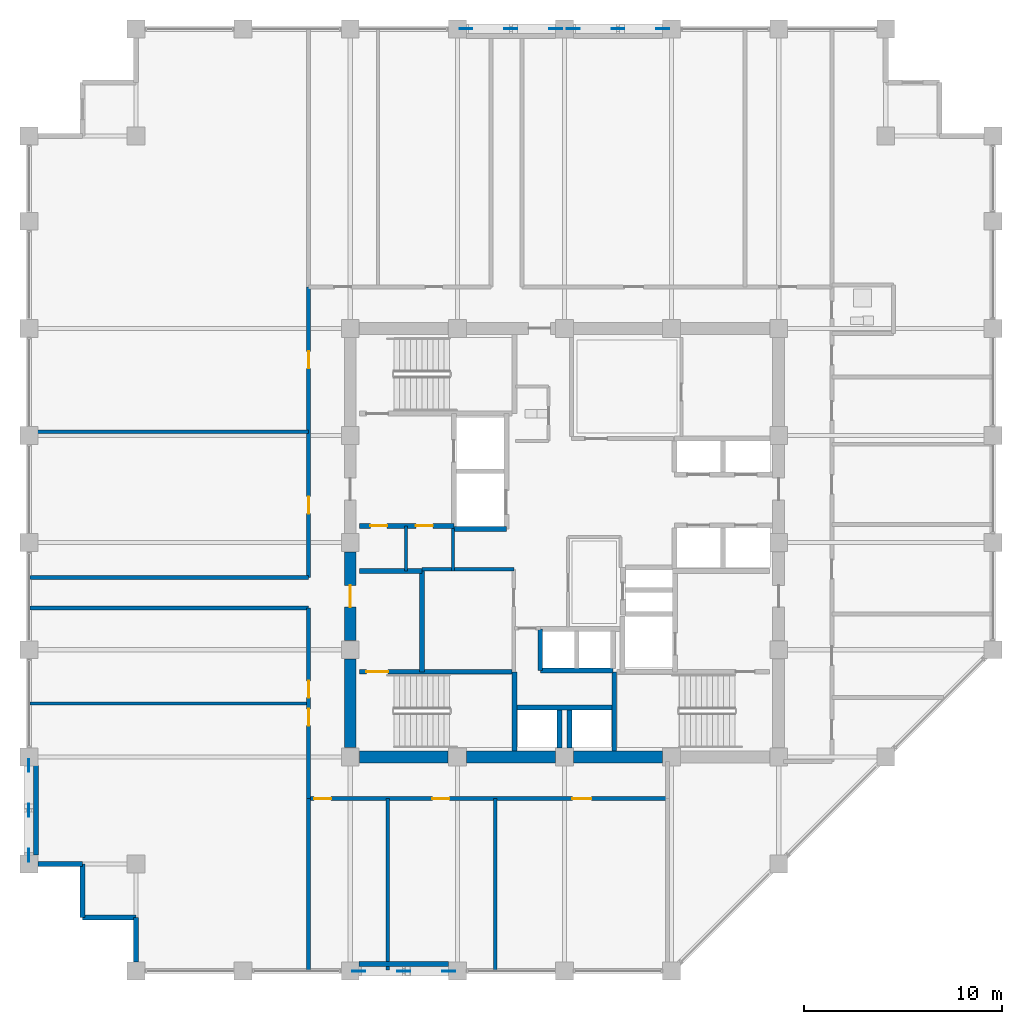
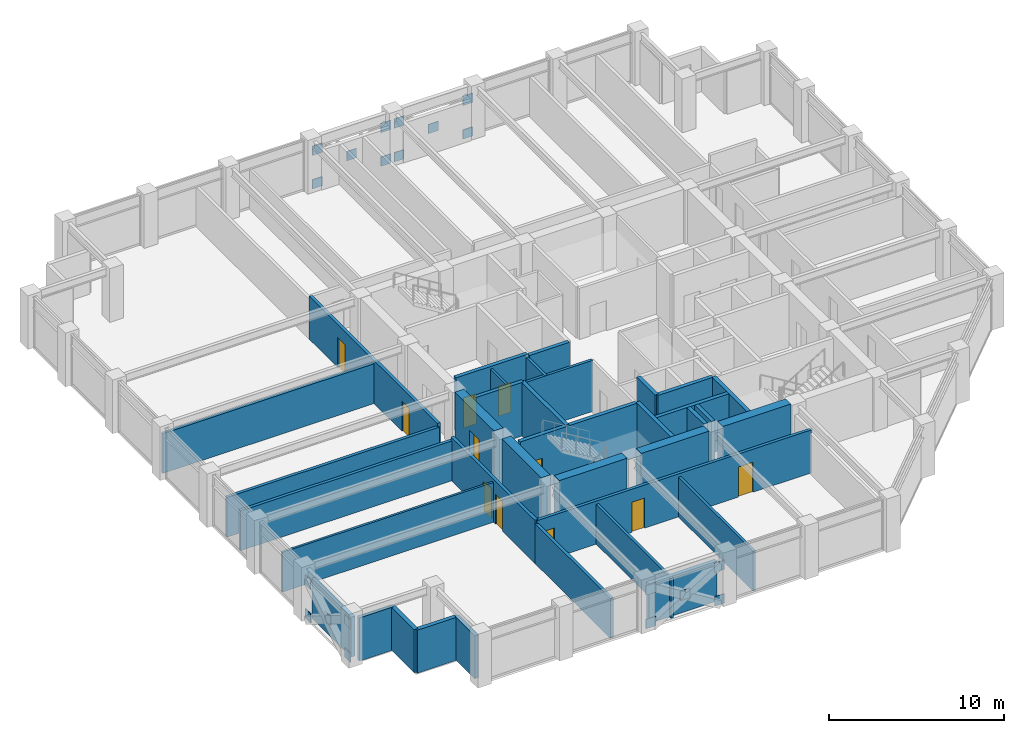
# One storey, part 27 of 32: 36 walls, 20 plates, 11 doors, 11 openings.
"""IFC4 building model written with IfcOpenShell, lengths in metres."""

from ifc_helpers import new_model, si_unit, direction, frame, frame_2d, origin, origin_2d, place, context, subcontext, project, spatial, rectangle, extrude, material, layer, layer_set, type_object, element, fill, save


model = new_model("IFC4")

# Units and contexts
model_context = context("Model", 3, precision=1e-05, world=origin(), true_north=direction((0.0, 1.0)))
body_context = subcontext(model_context, "Body", "Model", "MODEL_VIEW")
ifc_project = project(units=[si_unit("LENGTHUNIT", "METRE"), si_unit("AREAUNIT", "SQUARE_METRE"), si_unit("VOLUMEUNIT", "CUBIC_METRE"), si_unit("PLANEANGLEUNIT", "RADIAN"), si_unit("MASSUNIT", "GRAM", prefix="KILO")], contexts=[model_context])

# Site, building, storey
site_placement = place(None, origin())
site = spatial("IfcSite", under=ifc_project, at=site_placement, CompositionType="ELEMENT")
building_placement = place(site_placement, origin())
building = spatial("IfcBuilding", under=site, at=building_placement, Name="Surkhivell Harbour Commons", CompositionType="ELEMENT")
storey_placement = place(building_placement, frame((0.0, 0.0, 204.75)))
storey = spatial("IfcBuildingStorey", under=building, at=storey_placement, Name="L53", CompositionType="ELEMENT", Elevation=204.75)

# Plates
ifc_material_1 = material(Name="Steel S460", Category="steel")
ifc_layer_1 = layer(ifc_material_1, 0.044921875)
ifc_layer_set_1 = layer_set([ifc_layer_1], Name="Steel S460")
plate_type = type_object("IfcPlateType", Name="PLT-GUS-650", PredefinedType="USERDEFINED", material=ifc_layer_set_1)
for number, where, z_axis, x_axis, name in (
    (1, (-4.965087890625, 25.89990234375, -0.08935546875), (0.0, 0.0, 1.0), (1.0, 0.0, 0.0), "L53 Perimeter Mega-Brace MB- Corner Gusset N-1"),
    (2, (-0.43505859375, 25.89990234375, -0.08935546875), (0.0, 0.0, 1.0), (1.0, 0.0, 0.0), "L53 Perimeter Mega-Brace MB- Corner Gusset N-2"),
    (3, (-4.965087890625, 25.89990234375, 2.25146484375), (0.0, 0.0, 1.0), (1.0, 0.0, 0.0), "L53 Perimeter Mega-Brace MB- Corner Gusset N-3"),
    (4, (-0.43505859375, 25.89990234375, 2.25146484375), (0.0, 0.0, 1.0), (1.0, 0.0, 0.0), "L53 Perimeter Mega-Brace MB- Corner Gusset N-4"),
    (5, (-2.699951171875, 25.89990234375, 1.0810546875), (0.0, 0.0, 1.0), (1.0, 0.0, 0.0), "L53 Perimeter Mega-Brace MB- Central Crossing Gusset N"),
    (6, (0.43505859375, 25.89990234375, -0.08935546875), (0.0, 0.0, 1.0), (1.0, 0.0, 0.0), "L53 Perimeter Mega-Brace MB- Corner Gusset N2-1"),
    (7, (4.965087890625, 25.89990234375, -0.08935546875), (0.0, 0.0, 1.0), (1.0, 0.0, 0.0), "L53 Perimeter Mega-Brace MB- Corner Gusset N2-2"),
    (8, (0.43505859375, 25.89990234375, 2.25146484375), (0.0, 0.0, 1.0), (1.0, 0.0, 0.0), "L53 Perimeter Mega-Brace MB- Corner Gusset N2-3"),
    (9, (4.965087890625, 25.89990234375, 2.25146484375), (0.0, 0.0, 1.0), (1.0, 0.0, 0.0), "L53 Perimeter Mega-Brace MB- Corner Gusset N2-4"),
    (10, (2.699951171875, 25.89990234375, 1.0810546875), (0.0, 0.0, 1.0), (1.0, 0.0, 0.0), "L53 Perimeter Mega-Brace MB- Central Crossing Gusset N2"),
    (11, (-10.364990234375, -21.60009765625, -0.08935546875), (0.0, 0.0, 1.0), (1.0, 0.0, 0.0), "L53 Perimeter Mega-Brace MB- Corner Gusset S-1"),
    (12, (-5.8349609375, -21.60009765625, -0.08935546875), (0.0, 0.0, 1.0), (1.0, 0.0, 0.0), "L53 Perimeter Mega-Brace MB- Corner Gusset S-2"),
    (13, (-10.364990234375, -21.60009765625, 2.25146484375), (0.0, 0.0, 1.0), (1.0, 0.0, 0.0), "L53 Perimeter Mega-Brace MB- Corner Gusset S-3"),
    (14, (-5.8349609375, -21.60009765625, 2.25146484375), (0.0, 0.0, 1.0), (1.0, 0.0, 0.0), "L53 Perimeter Mega-Brace MB- Corner Gusset S-4"),
    (15, (-8.10009765625, -21.60009765625, 1.0810546875), (0.0, 0.0, 1.0), (1.0, 0.0, 0.0), "L53 Perimeter Mega-Brace MB- Central Crossing Gusset S"),
    (16, (-27.0, -15.764892578125, -0.08935546875), (0.0, 0.0, 1.0), (0.0, 1.0, 0.0), "L53 Perimeter Mega-Brace MB- Corner Gusset W-1"),
    (17, (-27.0, -11.235107421875, -0.08935546875), (0.0, 0.0, 1.0), (0.0, 1.0, 0.0), "L53 Perimeter Mega-Brace MB- Corner Gusset W-2"),
    (18, (-27.0, -15.764892578125, 2.25146484375), (0.0, 0.0, 1.0), (0.0, 1.0, 0.0), "L53 Perimeter Mega-Brace MB- Corner Gusset W-3"),
    (19, (-27.0, -11.235107421875, 2.25146484375), (0.0, 0.0, 1.0), (0.0, 1.0, 0.0), "L53 Perimeter Mega-Brace MB- Corner Gusset W-4"),
    (20, (-27.0, -13.5, 1.0810546875), (0.0, 0.0, 1.0), (0.0, 1.0, 0.0), "L53 Perimeter Mega-Brace MB- Central Crossing Gusset W"),
):
    element("IfcPlate", number, at=place(storey_placement, frame(where, z_axis=z_axis, x_axis=x_axis)), inside=storey, type_object=plate_type, Name=name, ObjectType="GUSSET_PLATE", PredefinedType="USERDEFINED", context=body_context, shape_type="SweptSolid", body=[
        extrude(rectangle(XDim=0.64990234375, YDim=0.044921875, at=origin_2d()), origin(), (0.0, 0.0, 1.0), 0.64990234375),
    ])

# Walls
ifc_material_2 = material(Name="Concrete C60/75", Category="concrete")
ifc_layer_2 = layer(ifc_material_2, 0.60009765625)
ifc_layer_set_2 = layer_set([ifc_layer_2], Name="Concrete C60/75")
wall_type_1 = type_object("IfcWallType", Name="WAL-CORE-600", PredefinedType="SHEAR", material=ifc_layer_set_2)
for number, where, z_axis, x_axis, name in (
    (21, (-10.340087890625, -10.800048828125, 0.0), (0.0, 0.0, 1.0), (1.0, 0.0, 0.0), "L53 Core Shear Wall South 1"),
    (22, (-10.800048828125, -10.340087890625, 0.0), (0.0, 0.0, 1.0), (0.0, 1.0, 0.0), "L53 Core Shear Wall West 1"),
    (23, (-4.93994140625, -10.800048828125, 0.0), (0.0, 0.0, 1.0), (1.0, 0.0, 0.0), "L53 Core Shear Wall South 2"),
):
    element("IfcWall", number, at=place(storey_placement, frame(where, z_axis=z_axis, x_axis=x_axis)), inside=storey, type_object=wall_type_1, Name=name, PredefinedType="SHEAR", context=body_context, shape_type="SweptSolid", body=[
        extrude(rectangle(XDim=4.47998046875, YDim=0.60009765625, at=frame_2d((2.239990234375, 0.0))), origin(), (0.0, 0.0, 1.0), 3.75),
    ])

# Wall, opening, door
wall_1_placement = place(storey_placement, frame((-10.800048828125, -4.93994140625, 0.0), z_axis=(0.0, 0.0, 1.0), x_axis=(0.0, 1.0, 0.0)))
wall_1 = element("IfcWall", 24, at=wall_1_placement, inside=storey, type_object=wall_type_1, Name="L53 Core Shear Wall West 2", PredefinedType="SHEAR", context=body_context, shape_type="SweptSolid", body=[
    extrude(rectangle(XDim=4.47998046875, YDim=0.60009765625, at=frame_2d((2.239990234375, 0.0))), origin(), (0.0, 0.0, 1.0), 3.75),
])
opening_1_placement = place(wall_1_placement, frame((1.68994140625, 0.0, 0.0)))
opening_1 = element("IfcOpeningElement", 25, at=opening_1_placement, cuts=wall_1, Name="Opening ID-2", PredefinedType="OPENING", context=body_context, shape_type="SweptSolid", body=[
    extrude(rectangle(XDim=1.10009765625, YDim=2.10009765625, at=frame_2d((0.550048828125, 1.050048828125))), frame((0.0, 0.31005859375, 0.0), z_axis=(0.0, -1.0, 0.0), x_axis=(1.0, 0.0, 0.0)), (0.0, 0.0, 1.0), 0.6201171875),
])
ifc_material_3 = material(Name="Hardwood-veneered fire-rated door leaf", Category="wood")
door_type_1 = type_object("IfcDoorType", Name="DOR-FD60-1100", OperationType="NOTDEFINED", PredefinedType="DOOR", material=ifc_material_3)
door_1_placement = place(opening_1_placement, origin())
door_1 = element("IfcDoor", 26, at=door_1_placement, inside=storey, type_object=door_type_1, Name="L53 Stair 3 Lobby Corridor Door", OperationType="SINGLE_SWING_LEFT", OverallHeight=2.10009765625, OverallWidth=1.10009765625, PredefinedType="DOOR", context=body_context, shape_type="SweptSolid", body=[
    extrude(rectangle(XDim=1.10009765625, YDim=2.10009765625, at=frame_2d((0.550048828125, 1.050048828125))), frame((0.0, 0.02490234375, 0.0), z_axis=(0.0, -1.0, 0.0), x_axis=(1.0, 0.0, 0.0)), (0.0, 0.0, 1.0), 0.050048828125),
])
fill(opening_1, door_1)

# Walls
wall_2_placement = place(storey_placement, frame((0.4599609375, -10.800048828125, 0.0), z_axis=(0.0, 0.0, 1.0), x_axis=(1.0, 0.0, 0.0)))
element("IfcWall", 27, at=wall_2_placement, inside=storey, type_object=wall_type_1, Name="L53 Core Shear Wall South 3", PredefinedType="SHEAR", context=body_context, shape_type="SweptSolid", body=[
    extrude(rectangle(XDim=4.47998046875, YDim=0.60009765625, at=frame_2d((2.239990234375, 0.0))), origin(), (0.0, 0.0, 1.0), 3.75),
])
ifc_material_4 = material(Name="Pale-metal insulated precast concrete C45/55", Category="concrete")
ifc_layer_3 = layer(ifc_material_4, 0.260009765625)
ifc_layer_set_3 = layer_set([ifc_layer_3], Name="Pale-metal insulated precast concrete C45/55")
wall_type_2 = type_object("IfcWallType", Name="WAL-EXT-MTL260", PredefinedType="STANDARD", material=ifc_layer_set_3)
wall_3_placement = place(storey_placement, frame((-10.35205078125, -21.239990234375, 0.0), z_axis=(0.0, 0.0, 1.0), x_axis=(1.0, 0.0, 0.0)))
element("IfcWall", 28, at=wall_3_placement, inside=storey, type_object=wall_type_2, Name="L53 Braced-Bay Insulated Spandrel Backing S", PredefinedType="STANDARD", context=body_context, shape_type="SweptSolid", body=[
    extrude(rectangle(XDim=4.504150390625, YDim=0.260009765625, at=frame_2d((2.251953125, 0.0))), origin(), (0.0, 0.0, 1.0), 2.780029296875),
])
wall_4_placement = place(storey_placement, frame((-26.639892578125, -11.248046875, 0.0), z_axis=(0.0, 0.0, 1.0), x_axis=(0.0, -1.0, 0.0)))
element("IfcWall", 29, at=wall_4_placement, inside=storey, type_object=wall_type_2, Name="L53 Braced-Bay Insulated Spandrel Backing W", PredefinedType="STANDARD", context=body_context, shape_type="SweptSolid", body=[
    extrude(rectangle(XDim=4.50390625, YDim=0.260009765625, at=frame_2d((2.251953125, 0.0))), origin(), (0.0, 0.0, 1.0), 2.780029296875),
])
wall_5_placement = place(storey_placement, frame((-26.552001953125, -16.199951171875, 0.0), z_axis=(0.0, 0.0, 1.0), x_axis=(1.0, 0.0, 0.0)))
element("IfcWall", 30, at=wall_5_placement, inside=storey, type_object=wall_type_2, Name="L53 Serrated Corner Facade Wall 13", PredefinedType="STANDARD", context=body_context, shape_type="SweptSolid", body=[
    extrude(rectangle(XDim=2.251953125, YDim=0.260009765625, at=frame_2d((1.1259765625, 0.0))), origin(), (0.0, 0.0, 1.0), 3.006103515625),
])
for number, where, z_axis, x_axis, name in (
    (31, (-24.300048828125, -16.199951171875, 0.0), (0.0, 0.0, 1.0), (0.0, -1.0, 0.0), "L53 Serrated Corner Facade Wall 14"),
    (32, (-24.300048828125, -18.89990234375, 0.0), (0.0, 0.0, 1.0), (1.0, 0.0, 0.0), "L53 Serrated Corner Facade Wall 15"),
):
    element("IfcWall", number, at=place(storey_placement, frame(where, z_axis=z_axis, x_axis=x_axis)), inside=storey, type_object=wall_type_2, Name=name, PredefinedType="STANDARD", context=body_context, shape_type="SweptSolid", body=[
        extrude(rectangle(XDim=2.699951171875, YDim=0.260009765625, at=frame_2d((1.35009765625, 0.0))), origin(), (0.0, 0.0, 1.0), 3.006103515625),
    ])
wall_6_placement = place(storey_placement, frame((-21.60009765625, -18.89990234375, 0.0), z_axis=(0.0, 0.0, 1.0), x_axis=(0.0, -1.0, 0.0)))
element("IfcWall", 33, at=wall_6_placement, inside=storey, type_object=wall_type_2, Name="L53 Serrated Corner Facade Wall 16", PredefinedType="STANDARD", context=body_context, shape_type="SweptSolid", body=[
    extrude(rectangle(XDim=2.252197265625, YDim=0.260009765625, at=frame_2d((1.1259765625, 0.0))), origin(), (0.0, 0.0, 1.0), 3.006103515625),
])
ifc_material_5 = material(Name="Twin-stud acoustic fireboard partition", Category="other")
ifc_layer_4 = layer(ifc_material_5, 0.14990234375)
ifc_layer_set_4 = layer_set([ifc_layer_4], Name="Twin-stud acoustic fireboard partition")
wall_type_3 = type_object("IfcWallType", Name="WAL-INT-150", PredefinedType="PARTITIONING", material=ifc_layer_set_4)
wall_7_placement = place(storey_placement, frame((-8.0, -1.419921875, 0.0), z_axis=(0.0, 0.0, 1.0), x_axis=(0.0, 1.0, 0.0)))
element("IfcWall", 34, at=wall_7_placement, inside=storey, type_object=wall_type_3, Name="L53 West Core Cut D1", PredefinedType="PARTITIONING", context=body_context, shape_type="SweptSolid", body=[
    extrude(rectangle(XDim=2.27001953125, YDim=0.14990234375, at=frame_2d((1.135009765625, 0.0))), origin(), (0.0, 0.0, 1.0), 3.570068359375),
])
wall_8_placement = place(storey_placement, frame((-26.93994140625, -8.10009765625, 0.0), z_axis=(0.0, 0.0, 1.0), x_axis=(1.0, 0.0, 0.0)))
element("IfcWall", 35, at=wall_8_placement, inside=storey, type_object=wall_type_3, Name="L53 South-West Partition P1", PredefinedType="PARTITIONING", context=body_context, shape_type="SweptSolid", body=[
    extrude(rectangle(XDim=14.0400390625, YDim=0.14990234375, at=frame_2d((7.02001953125, 0.0))), origin(), (0.0, 0.0, 1.0), 2.780029296875),
])
ifc_material_6 = material(Name="High-density acoustic blockwork fire partition", Category="masonry")
ifc_layer_5 = layer(ifc_material_6, 0.175048828125)
ifc_layer_set_5 = layer_set([ifc_layer_5], Name="High-density acoustic blockwork fire partition")
wall_type_4 = type_object("IfcWallType", Name="WAL-INT-175", PredefinedType="PARTITIONING", material=ifc_layer_set_5)
wall_9_placement = place(storey_placement, frame((-7.179931640625, -1.35009765625, 0.0), z_axis=(0.0, 0.0, 1.0), x_axis=(1.0, 0.0, 0.0)))
element("IfcWall", 36, at=wall_9_placement, inside=storey, type_object=wall_type_4, Name="L53 Core Service Bay North Wall", PredefinedType="PARTITIONING", context=body_context, shape_type="SweptSolid", body=[
    extrude(rectangle(XDim=4.6298828125, YDim=0.175048828125, at=frame_2d((2.31494140625, 0.0))), origin(), (0.0, 0.0, 1.0), 3.570068359375),
])
wall_10_placement = place(storey_placement, frame((-5.6201171875, -1.419921875, 0.0), z_axis=(0.0, 0.0, 1.0), x_axis=(0.0, 1.0, 0.0)))
element("IfcWall", 37, at=wall_10_placement, inside=storey, type_object=wall_type_4, Name="L53 West Core Bay East Wall", PredefinedType="PARTITIONING", context=body_context, shape_type="SweptSolid", body=[
    extrude(rectangle(XDim=2.139892578125, YDim=0.175048828125, at=frame_2d((1.06982421875, 0.0))), origin(), (0.0, 0.0, 1.0), 3.570068359375),
])
for number, where, z_axis, x_axis, name in (
    (38, (-8.919921875, -21.5400390625, 0.0), (0.0, 0.0, 1.0), (0.0, 1.0, 0.0), "L53 South Partition P1"),
    (39, (-3.489990234375, -21.5400390625, 0.0), (0.0, 0.0, 1.0), (0.0, 1.0, 0.0), "L53 South Partition P2"),
):
    element("IfcWall", number, at=place(storey_placement, frame(where, z_axis=z_axis, x_axis=x_axis)), inside=storey, type_object=wall_type_4, Name=name, PredefinedType="PARTITIONING", context=body_context, shape_type="SweptSolid", body=[
        extrude(rectangle(XDim=8.64013671875, YDim=0.175048828125, at=frame_2d((4.320068359375, 0.0))), origin(), (0.0, 0.0, 1.0), 2.780029296875),
    ])
wall_11_placement = place(storey_placement, frame((-26.93994140625, 5.580078125, 0.0), z_axis=(0.0, 0.0, 1.0), x_axis=(1.0, 0.0, 0.0)))
element("IfcWall", 40, at=wall_11_placement, inside=storey, type_object=wall_type_4, Name="L53 North-West Partition P1", PredefinedType="PARTITIONING", context=body_context, shape_type="SweptSolid", body=[
    extrude(rectangle(XDim=14.0400390625, YDim=0.175048828125, at=frame_2d((7.02001953125, 0.0))), origin(), (0.0, 0.0, 1.0), 2.780029296875),
])
ifc_material_7 = material(Name="Autoclaved aerated concrete blockwork and fire plaster", Category="masonry")
ifc_layer_6 = layer(ifc_material_7, 0.199951171875)
ifc_layer_set_6 = layer_set([ifc_layer_6], Name="Autoclaved aerated concrete blockwork and fire plaster")
wall_type_5 = type_object("IfcWallType", Name="WAL-INT-200", PredefinedType="PARTITIONING", material=ifc_layer_set_6)
wall_12_placement = place(storey_placement, frame((-12.89990234375, -21.5400390625, 0.0), z_axis=(0.0, 0.0, 1.0), x_axis=(0.0, 1.0, 0.0)))
element("IfcWall", 41, at=wall_12_placement, inside=storey, type_object=wall_type_5, Name="L53 South-West Corner Wall", PredefinedType="PARTITIONING", context=body_context, shape_type="SweptSolid", body=[
    extrude(rectangle(XDim=8.64013671875, YDim=0.199951171875, at=frame_2d((4.320068359375, 0.0))), origin(), (0.0, 0.0, 1.0), 2.780029296875),
])

# Wall, openings, doors
wall_13_placement = place(storey_placement, frame((-12.89990234375, -12.89990234375, 0.0), z_axis=(0.0, 0.0, 1.0), x_axis=(1.0, 0.0, 0.0)))
wall_13 = element("IfcWall", 42, at=wall_13_placement, inside=storey, type_object=wall_type_5, Name="L53 Corridor South Wall", PredefinedType="PARTITIONING", context=body_context, shape_type="SweptSolid", body=[
    extrude(rectangle(XDim=18.099853515625, YDim=0.199951171875, at=frame_2d((9.0498046875, 0.0))), origin(), (0.0, 0.0, 1.0), 3.006103515625),
])
opening_2_placement = place(wall_13_placement, frame((0.280029296875, 0.0, 0.0)))
opening_2 = element("IfcOpeningElement", 43, at=opening_2_placement, cuts=wall_13, Name="Opening ID-6", PredefinedType="OPENING", context=body_context, shape_type="SweptSolid", body=[
    extrude(rectangle(XDim=0.85009765625, YDim=2.10009765625, at=frame_2d((0.425048828125, 1.050048828125))), frame((0.0, 0.10986328125, 0.0), z_axis=(0.0, -1.0, 0.0), x_axis=(1.0, 0.0, 0.0)), (0.0, 0.0, 1.0), 0.219970703125),
])
opening_3_placement = place(wall_13_placement, frame((6.2451171875, 0.0, 0.0)))
opening_3 = element("IfcOpeningElement", 44, at=opening_3_placement, cuts=wall_13, Name="Opening ID-6", PredefinedType="OPENING", context=body_context, shape_type="SweptSolid", body=[
    extrude(rectangle(XDim=0.85009765625, YDim=2.10009765625, at=frame_2d((0.425048828125, 1.050048828125))), frame((0.0, 0.10986328125, 0.0), z_axis=(0.0, -1.0, 0.0), x_axis=(1.0, 0.0, 0.0)), (0.0, 0.0, 1.0), 0.219970703125),
])
opening_4_placement = place(wall_13_placement, frame((13.304931640625, 0.0, 0.0)))
opening_4 = element("IfcOpeningElement", 45, at=opening_4_placement, cuts=wall_13, Name="Opening ID-4", PredefinedType="OPENING", context=body_context, shape_type="SweptSolid", body=[
    extrude(rectangle(XDim=0.949951171875, YDim=2.10009765625, at=frame_2d((0.47509765625, 1.050048828125))), frame((0.0, 0.10986328125, 0.0), z_axis=(0.0, -1.0, 0.0), x_axis=(1.0, 0.0, 0.0)), (0.0, 0.0, 1.0), 0.219970703125),
])
door_type_2 = type_object("IfcDoorType", Name="DOR-FD30-850", OperationType="NOTDEFINED", PredefinedType="DOOR", material=ifc_material_3)
door_2_placement = place(opening_2_placement, origin())
door_2 = element("IfcDoor", 46, at=door_2_placement, inside=storey, type_object=door_type_2, Name="L53 Co-Working Study Office 1 South Door", OperationType="SINGLE_SWING_RIGHT", OverallHeight=2.10009765625, OverallWidth=0.85009765625, PredefinedType="DOOR", context=body_context, shape_type="SweptSolid", body=[
    extrude(rectangle(XDim=0.85009765625, YDim=2.10009765625, at=frame_2d((0.425048828125, 1.050048828125))), frame((0.0, 0.02490234375, 0.0), z_axis=(0.0, -1.0, 0.0), x_axis=(1.0, 0.0, 0.0)), (0.0, 0.0, 1.0), 0.050048828125),
])
fill(opening_2, door_2)
door_3_placement = place(opening_3_placement, origin())
door_3 = element("IfcDoor", 47, at=door_3_placement, inside=storey, type_object=door_type_2, Name="L53 Co-Working Study Office 2 South Door", OperationType="SINGLE_SWING_LEFT", OverallHeight=2.10009765625, OverallWidth=0.85009765625, PredefinedType="DOOR", context=body_context, shape_type="SweptSolid", body=[
    extrude(rectangle(XDim=0.85009765625, YDim=2.10009765625, at=frame_2d((0.425048828125, 1.050048828125))), frame((0.0, 0.02490234375, 0.0), z_axis=(0.0, -1.0, 0.0), x_axis=(1.0, 0.0, 0.0)), (0.0, 0.0, 1.0), 0.050048828125),
])
fill(opening_3, door_3)
door_type_3 = type_object("IfcDoorType", Name="DOR-FD60-950", OperationType="NOTDEFINED", PredefinedType="DOOR", material=ifc_material_3)
door_4_placement = place(opening_4_placement, origin())
door_4 = element("IfcDoor", 48, at=door_4_placement, inside=storey, type_object=door_type_3, Name="L53 Co-Working Study Office 3 South Door", OperationType="SINGLE_SWING_RIGHT", OverallHeight=2.10009765625, OverallWidth=0.949951171875, PredefinedType="DOOR", context=body_context, shape_type="SweptSolid", body=[
    extrude(rectangle(XDim=0.949951171875, YDim=2.10009765625, at=frame_2d((0.47509765625, 1.050048828125))), frame((0.0, 0.02490234375, 0.0), z_axis=(0.0, -1.0, 0.0), x_axis=(1.0, 0.0, 0.0)), (0.0, 0.0, 1.0), 0.050048828125),
])
fill(opening_4, door_4)

# Walls
for number, where, z_axis, x_axis, name in (
    (49, (-26.93994140625, -1.75, 0.0), (0.0, 0.0, 1.0), (1.0, 0.0, 0.0), "L53 West Spur North Wall"),
    (50, (-26.93994140625, -3.300048828125, 0.0), (0.0, 0.0, 1.0), (1.0, 0.0, 0.0), "L53 West Spur South Wall"),
):
    element("IfcWall", number, at=place(storey_placement, frame(where, z_axis=z_axis, x_axis=x_axis)), inside=storey, type_object=wall_type_5, Name=name, PredefinedType="PARTITIONING", context=body_context, shape_type="SweptSolid", body=[
        extrude(rectangle(XDim=14.0400390625, YDim=0.199951171875, at=frame_2d((7.02001953125, 0.0))), origin(), (0.0, 0.0, 1.0), 2.780029296875),
    ])

# Wall, openings, doors
wall_14_placement = place(storey_placement, frame((-12.89990234375, -1.75, 0.0), z_axis=(0.0, 0.0, 1.0), x_axis=(0.0, 1.0, 0.0)))
wall_14 = element("IfcWall", 51, at=wall_14_placement, inside=storey, type_object=wall_type_5, Name="L53 Corridor West-Upper Wall", PredefinedType="PARTITIONING", context=body_context, shape_type="SweptSolid", body=[
    extrude(rectangle(XDim=14.64990234375, YDim=0.199951171875, at=frame_2d((7.324951171875, 0.0))), origin(), (0.0, 0.0, 1.0), 3.006103515625),
])
opening_5_placement = place(wall_14_placement, frame((3.215087890625, 0.0, 0.0)))
opening_5 = element("IfcOpeningElement", 52, at=opening_5_placement, cuts=wall_14, Name="Opening ID-6", PredefinedType="OPENING", context=body_context, shape_type="SweptSolid", body=[
    extrude(rectangle(XDim=0.85009765625, YDim=2.10009765625, at=frame_2d((0.425048828125, 1.050048828125))), frame((0.0, 0.10986328125, 0.0), z_axis=(0.0, -1.0, 0.0), x_axis=(1.0, 0.0, 0.0)), (0.0, 0.0, 1.0), 0.219970703125),
])
opening_6_placement = place(wall_14_placement, frame((10.5400390625, 0.0, 0.0)))
opening_6 = element("IfcOpeningElement", 53, at=opening_6_placement, cuts=wall_14, Name="Opening ID-6", PredefinedType="OPENING", context=body_context, shape_type="SweptSolid", body=[
    extrude(rectangle(XDim=0.85009765625, YDim=2.10009765625, at=frame_2d((0.425048828125, 1.050048828125))), frame((0.0, 0.10986328125, 0.0), z_axis=(0.0, -1.0, 0.0), x_axis=(1.0, 0.0, 0.0)), (0.0, 0.0, 1.0), 0.219970703125),
])
door_5_placement = place(opening_5_placement, origin())
door_5 = element("IfcDoor", 54, at=door_5_placement, inside=storey, type_object=door_type_2, Name="L53 Campus Co-Op Bookshop North-West Door", OperationType="SINGLE_SWING_LEFT", OverallHeight=2.10009765625, OverallWidth=0.85009765625, PredefinedType="DOOR", context=body_context, shape_type="SweptSolid", body=[
    extrude(rectangle(XDim=0.85009765625, YDim=2.10009765625, at=frame_2d((0.425048828125, 1.050048828125))), frame((0.0, 0.02490234375, 0.0), z_axis=(0.0, -1.0, 0.0), x_axis=(1.0, 0.0, 0.0)), (0.0, 0.0, 1.0), 0.050048828125),
])
fill(opening_5, door_5)
door_6_placement = place(opening_6_placement, origin())
door_6 = element("IfcDoor", 55, at=door_6_placement, inside=storey, type_object=door_type_2, Name="L53 Harbour Espresso Cafe Shop North-West Door", OperationType="SINGLE_SWING_RIGHT", OverallHeight=2.10009765625, OverallWidth=0.85009765625, PredefinedType="DOOR", context=body_context, shape_type="SweptSolid", body=[
    extrude(rectangle(XDim=0.85009765625, YDim=2.10009765625, at=frame_2d((0.425048828125, 1.050048828125))), frame((0.0, 0.02490234375, 0.0), z_axis=(0.0, -1.0, 0.0), x_axis=(1.0, 0.0, 0.0)), (0.0, 0.0, 1.0), 0.050048828125),
])
fill(opening_6, door_6)

wall_15_placement = place(storey_placement, frame((-12.89990234375, -12.89990234375, 0.0), z_axis=(0.0, 0.0, 1.0), x_axis=(0.0, 1.0, 0.0)))
wall_15 = element("IfcWall", 56, at=wall_15_placement, inside=storey, type_object=wall_type_5, Name="L53 Corridor West-Lower Wall", PredefinedType="PARTITIONING", context=body_context, shape_type="SweptSolid", body=[
    extrude(rectangle(XDim=9.599853515625, YDim=0.199951171875, at=frame_2d((4.7998046875, 0.0))), origin(), (0.0, 0.0, 1.0), 3.006103515625),
])
opening_7_placement = place(wall_15_placement, frame((3.669921875, 0.0, 0.0)))
opening_7 = element("IfcOpeningElement", 57, at=opening_7_placement, cuts=wall_15, Name="Opening ID-6", PredefinedType="OPENING", context=body_context, shape_type="SweptSolid", body=[
    extrude(rectangle(XDim=0.85009765625, YDim=2.10009765625, at=frame_2d((0.425048828125, 1.050048828125))), frame((0.0, 0.10986328125, 0.0), z_axis=(0.0, -1.0, 0.0), x_axis=(1.0, 0.0, 0.0)), (0.0, 0.0, 1.0), 0.219970703125),
])
opening_8_placement = place(wall_15_placement, frame((5.080078125, 0.0, 0.0)))
opening_8 = element("IfcOpeningElement", 58, at=opening_8_placement, cuts=wall_15, Name="Opening ID-6", PredefinedType="OPENING", context=body_context, shape_type="SweptSolid", body=[
    extrude(rectangle(XDim=0.85009765625, YDim=2.10009765625, at=frame_2d((0.425048828125, 1.050048828125))), frame((0.0, 0.10986328125, 0.0), z_axis=(0.0, -1.0, 0.0), x_axis=(1.0, 0.0, 0.0)), (0.0, 0.0, 1.0), 0.219970703125),
])
door_7_placement = place(opening_7_placement, origin())
door_7 = element("IfcDoor", 59, at=door_7_placement, inside=storey, type_object=door_type_2, Name="L53 Campus Co-Op Bookshop South-West Door", OperationType="SINGLE_SWING_LEFT", OverallHeight=2.10009765625, OverallWidth=0.85009765625, PredefinedType="DOOR", context=body_context, shape_type="SweptSolid", body=[
    extrude(rectangle(XDim=0.85009765625, YDim=2.10009765625, at=frame_2d((0.425048828125, 1.050048828125))), frame((0.0, 0.02490234375, 0.0), z_axis=(0.0, -1.0, 0.0), x_axis=(1.0, 0.0, 0.0)), (0.0, 0.0, 1.0), 0.050048828125),
])
fill(opening_7, door_7)
door_8_placement = place(opening_8_placement, origin())
door_8 = element("IfcDoor", 60, at=door_8_placement, inside=storey, type_object=door_type_2, Name="L53 Harbour Espresso Cafe Shop South-West Door", OperationType="SINGLE_SWING_RIGHT", OverallHeight=2.10009765625, OverallWidth=0.85009765625, PredefinedType="DOOR", context=body_context, shape_type="SweptSolid", body=[
    extrude(rectangle(XDim=0.85009765625, YDim=2.10009765625, at=frame_2d((0.425048828125, 1.050048828125))), frame((0.0, 0.02490234375, 0.0), z_axis=(0.0, -1.0, 0.0), x_axis=(1.0, 0.0, 0.0)), (0.0, 0.0, 1.0), 0.050048828125),
])
fill(opening_8, door_8)

ifc_material_8 = material(Name="Concrete C50/60", Category="concrete")
ifc_layer_7 = layer(ifc_material_8, 0.25)
ifc_layer_set_7 = layer_set([ifc_layer_7], Name="Concrete C50/60")
wall_type_6 = type_object("IfcWallType", Name="WAL-SHAFT-250", PredefinedType="SHEAR", material=ifc_layer_set_7)
wall_16_placement = place(storey_placement, frame((-10.340087890625, 0.85009765625, 0.0), z_axis=(0.0, 0.0, 1.0), x_axis=(1.0, 0.0, 0.0)))
wall_16 = element("IfcWall", 61, at=wall_16_placement, inside=storey, type_object=wall_type_6, Name="L53 Firefighting Lobby 1 South Wall", PredefinedType="SHEAR", context=body_context, shape_type="SweptSolid", body=[
    extrude(rectangle(XDim=4.760009765625, YDim=0.25, at=frame_2d((2.3798828125, 0.0))), origin(), (0.0, 0.0, 1.0), 3.75),
])
opening_9_placement = place(wall_16_placement, frame((0.550048828125, 0.0, 0.0)))
opening_9 = element("IfcOpeningElement", 62, at=opening_9_placement, cuts=wall_16, Name="Opening ID-6", PredefinedType="OPENING", context=body_context, shape_type="SweptSolid", body=[
    extrude(rectangle(XDim=0.85009765625, YDim=2.10009765625, at=frame_2d((0.425048828125, 1.050048828125))), frame((0.0, 0.135009765625, 0.0), z_axis=(0.0, -1.0, 0.0), x_axis=(1.0, 0.0, 0.0)), (0.0, 0.0, 1.0), 0.27001953125),
])
opening_10_placement = place(wall_16_placement, frame((2.85009765625, 0.0, 0.0)))
opening_10 = element("IfcOpeningElement", 63, at=opening_10_placement, cuts=wall_16, Name="Opening ID-6", PredefinedType="OPENING", context=body_context, shape_type="SweptSolid", body=[
    extrude(rectangle(XDim=0.85009765625, YDim=2.10009765625, at=frame_2d((0.425048828125, 1.050048828125))), frame((0.0, 0.135009765625, 0.0), z_axis=(0.0, -1.0, 0.0), x_axis=(1.0, 0.0, 0.0)), (0.0, 0.0, 1.0), 0.27001953125),
])
door_9_placement = place(opening_9_placement, origin())
door_9 = element("IfcDoor", 64, at=door_9_placement, inside=storey, type_object=door_type_2, Name="L53 West Seminar Pod Door", OperationType="SINGLE_SWING_LEFT", OverallHeight=2.10009765625, OverallWidth=0.85009765625, PredefinedType="DOOR", context=body_context, shape_type="SweptSolid", body=[
    extrude(rectangle(XDim=0.85009765625, YDim=2.10009765625, at=frame_2d((0.425048828125, 1.050048828125))), frame((0.0, 0.02490234375, 0.0), z_axis=(0.0, -1.0, 0.0), x_axis=(1.0, 0.0, 0.0)), (0.0, 0.0, 1.0), 0.050048828125),
])
fill(opening_9, door_9)
door_10_placement = place(opening_10_placement, origin())
door_10 = element("IfcDoor", 65, at=door_10_placement, inside=storey, type_object=door_type_2, Name="L53 West Reading Pod Door", OperationType="SINGLE_SWING_RIGHT", OverallHeight=2.10009765625, OverallWidth=0.85009765625, PredefinedType="DOOR", context=body_context, shape_type="SweptSolid", body=[
    extrude(rectangle(XDim=0.85009765625, YDim=2.10009765625, at=frame_2d((0.425048828125, 1.050048828125))), frame((0.0, 0.02490234375, 0.0), z_axis=(0.0, -1.0, 0.0), x_axis=(1.0, 0.0, 0.0)), (0.0, 0.0, 1.0), 0.050048828125),
])
fill(opening_10, door_10)

# Walls
for number, where, z_axis, x_axis, name in (
    (66, (-0.25, -10.35009765625, 0.0), (0.0, 0.0, 1.0), (0.0, 1.0, 0.0), "L53 High-Rise Side Wall S"),
    (67, (0.25, -10.35009765625, 0.0), (0.0, 0.0, 1.0), (0.0, 1.0, 0.0), "L53 High-Rise Side Wall S"),
):
    element("IfcWall", number, at=place(storey_placement, frame(where, z_axis=z_axis, x_axis=x_axis)), inside=storey, type_object=wall_type_6, Name=name, PredefinedType="SHEAR", context=body_context, shape_type="SweptSolid", body=[
        extrude(rectangle(XDim=1.91015625, YDim=0.25, at=frame_2d((0.955078125, 0.0))), origin(), (0.0, 0.0, 1.0), 3.75),
    ])
wall_17_placement = place(storey_placement, frame((-1.219970703125, -6.43994140625, 0.0), z_axis=(0.0, 0.0, 1.0), x_axis=(0.0, 1.0, 0.0)))
element("IfcWall", 68, at=wall_17_placement, inside=storey, type_object=wall_type_6, Name="L53 High-Rise Passage East Shaft Wall", PredefinedType="SHEAR", context=body_context, shape_type="SweptSolid", body=[
    extrude(rectangle(XDim=2.079833984375, YDim=0.25, at=frame_2d((1.0400390625, 0.0))), origin(), (0.0, 0.0, 1.0), 3.75),
])
wall_18_placement = place(storey_placement, frame((-1.219970703125, -6.43994140625, 0.0), z_axis=(0.0, 0.0, 1.0), x_axis=(1.0, 0.0, 0.0)))
element("IfcWall", 69, at=wall_18_placement, inside=storey, type_object=wall_type_6, Name="L53 High-Rise North Front Shaft Wall", PredefinedType="SHEAR", context=body_context, shape_type="SweptSolid", body=[
    extrude(rectangle(XDim=3.669921875, YDim=0.25, at=frame_2d((1.8349609375, 0.0))), origin(), (0.0, 0.0, 1.0), 3.75),
])
wall_19_placement = place(storey_placement, frame((-2.47998046875, -8.320068359375, 0.0), z_axis=(0.0, 0.0, 1.0), x_axis=(1.0, 0.0, 0.0)))
element("IfcWall", 70, at=wall_19_placement, inside=storey, type_object=wall_type_6, Name="L53 High-Rise South Front Shaft Wall", PredefinedType="SHEAR", context=body_context, shape_type="SweptSolid", body=[
    extrude(rectangle(XDim=4.929931640625, YDim=0.25, at=frame_2d((2.46484375, 0.0))), origin(), (0.0, 0.0, 1.0), 3.75),
])
for number, where, z_axis, x_axis, name in (
    (71, (2.510009765625, -10.5, 0.0), (0.0, 0.0, 1.0), (0.0, 1.0, 0.0), "L53 Stair ST2 West Shear Wall"),
    (72, (-2.510009765625, -10.5, 0.0), (0.0, 0.0, 1.0), (0.0, 1.0, 0.0), "L53 Stair ST3 East Shear Wall"),
):
    element("IfcWall", number, at=place(storey_placement, frame(where, z_axis=z_axis, x_axis=x_axis)), inside=storey, type_object=wall_type_6, Name=name, PredefinedType="SHEAR", context=body_context, shape_type="SweptSolid", body=[
        extrude(rectangle(XDim=3.989990234375, YDim=0.25, at=frame_2d((1.9951171875, 0.0))), origin(), (0.0, 0.0, 1.0), 3.75),
    ])
wall_20_placement = place(storey_placement, frame((-7.179931640625, -6.510009765625, 0.0), z_axis=(0.0, 0.0, 1.0), x_axis=(0.0, 1.0, 0.0)))
element("IfcWall", 73, at=wall_20_placement, inside=storey, type_object=wall_type_6, Name="L53 Stair 3 Lobby East Wall", PredefinedType="SHEAR", context=body_context, shape_type="SweptSolid", body=[
    extrude(rectangle(XDim=5.090087890625, YDim=0.25, at=frame_2d((2.544921875, 0.0))), origin(), (0.0, 0.0, 1.0), 3.75),
])
wall_21_placement = place(storey_placement, frame((-10.340087890625, -1.419921875, 0.0), z_axis=(0.0, 0.0, 1.0), x_axis=(1.0, 0.0, 0.0)))
element("IfcWall", 74, at=wall_21_placement, inside=storey, type_object=wall_type_6, Name="L53 Stair 3 Lobby North Wall", PredefinedType="SHEAR", context=body_context, shape_type="SweptSolid", body=[
    extrude(rectangle(XDim=3.16015625, YDim=0.25, at=frame_2d((1.580078125, 0.0))), origin(), (0.0, 0.0, 1.0), 3.75),
])

# Wall, opening, door
wall_22_placement = place(storey_placement, frame((-10.340087890625, -6.510009765625, 0.0), z_axis=(0.0, 0.0, 1.0), x_axis=(1.0, 0.0, 0.0)))
wall_22 = element("IfcWall", 75, at=wall_22_placement, inside=storey, type_object=wall_type_6, Name="L53 Stair ST3 North Shear Wall", PredefinedType="SHEAR", context=body_context, shape_type="SweptSolid", body=[
    extrude(rectangle(XDim=7.7001953125, YDim=0.25, at=frame_2d((3.85009765625, 0.0))), origin(), (0.0, 0.0, 1.0), 3.75),
])
opening_11_placement = place(wall_22_placement, frame((0.35009765625, 0.0, 0.0)))
opening_11 = element("IfcOpeningElement", 76, at=opening_11_placement, cuts=wall_22, Name="Opening ID-2", PredefinedType="OPENING", context=body_context, shape_type="SweptSolid", body=[
    extrude(rectangle(XDim=1.10009765625, YDim=2.10009765625, at=frame_2d((0.550048828125, 1.050048828125))), frame((0.0, 0.135009765625, 0.0), z_axis=(0.0, -1.0, 0.0), x_axis=(1.0, 0.0, 0.0)), (0.0, 0.0, 1.0), 0.27001953125),
])
door_11_placement = place(opening_11_placement, origin())
door_11 = element("IfcDoor", 77, at=door_11_placement, inside=storey, type_object=door_type_1, Name="L53 Stair ST3 Exit Door", OperationType="SINGLE_SWING_RIGHT", OverallHeight=2.10009765625, OverallWidth=1.10009765625, PredefinedType="DOOR", context=body_context, shape_type="SweptSolid", body=[
    extrude(rectangle(XDim=1.10009765625, YDim=2.10009765625, at=frame_2d((0.550048828125, 1.050048828125))), frame((0.0, 0.02490234375, 0.0), z_axis=(0.0, -1.0, 0.0), x_axis=(1.0, 0.0, 0.0)), (0.0, 0.0, 1.0), 0.050048828125),
])
fill(opening_11, door_11)

# Wall
wall_23_placement = place(storey_placement, frame((-5.580078125, 0.679931640625, 0.0), z_axis=(0.0, 0.0, 1.0), x_axis=(1.0, 0.0, 0.0)))
element("IfcWall", 78, at=wall_23_placement, inside=storey, type_object=wall_type_6, Name="L53 SVL1 South Shaft Wall", PredefinedType="SHEAR", context=body_context, shape_type="SweptSolid", body=[
    extrude(rectangle(XDim=2.650146484375, YDim=0.25, at=frame_2d((1.3251953125, 0.0))), origin(), (0.0, 0.0, 1.0), 3.75),
])

save(model, "model.ifc")
